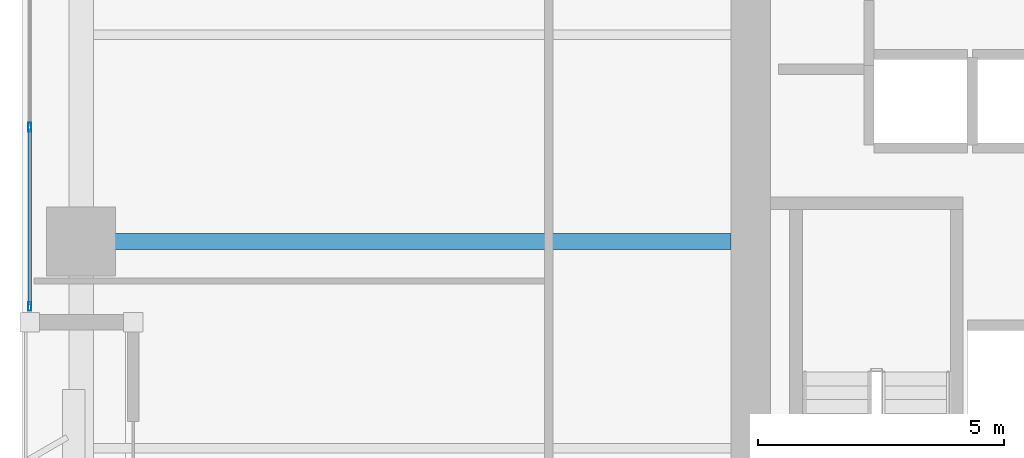
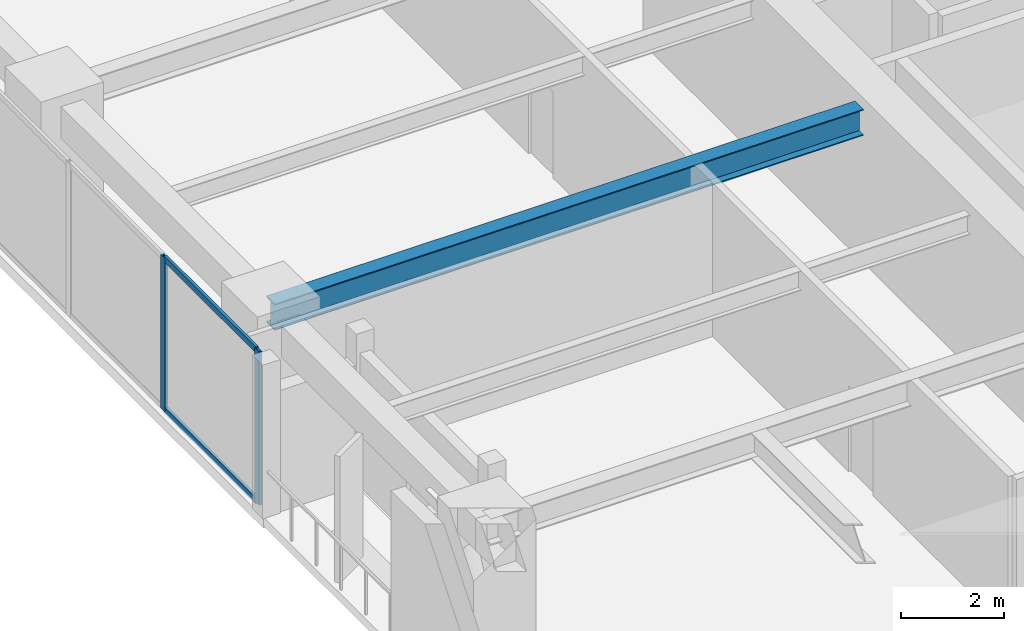
# One storey, part 2 of 24: 4 members, 1 beam, 1 element without a shape of its own.
"""IFC4 building model written with IfcOpenShell, lengths in metres."""

from ifc_helpers import new_model, si_unit, direction, frame, origin, origin_2d, place, context, subcontext, project, spatial, hollow_rectangle, i_section, extrude, material, layer, layer_set, material_profile, profile_set, type_object, element, aggregate, save


model = new_model("IFC4")

# Units and contexts
model_context = context("Model", 3, precision=1e-05, world=origin(), true_north=direction((0.0, 1.0)))
body_context = subcontext(model_context, "Body", "Model", "MODEL_VIEW")
ifc_project = project(units=[si_unit("LENGTHUNIT", "METRE"), si_unit("AREAUNIT", "SQUARE_METRE"), si_unit("VOLUMEUNIT", "CUBIC_METRE"), si_unit("PLANEANGLEUNIT", "RADIAN"), si_unit("MASSUNIT", "GRAM", prefix="KILO")], contexts=[model_context])

# Site, building, storey
site_placement = place(None, origin())
site = spatial("IfcSite", under=ifc_project, at=site_placement, CompositionType="ELEMENT")
building_placement = place(site_placement, origin())
building = spatial("IfcBuilding", under=site, at=building_placement, Name="Kiyonajd Concourse Tower", CompositionType="ELEMENT")
storey_placement = place(building_placement, frame((0.0, 0.0, 117.0)))
storey = spatial("IfcBuildingStorey", under=building, at=storey_placement, Name="L30", CompositionType="ELEMENT", Elevation=117.0)

# Beam
ifc_material_1 = material(Name="Steel ASTM A992 Grade 50", Category="steel")
ifc_material_profile_1 = material_profile(ifc_material_1, i_section(OverallWidth=0.326904296875, OverallDepth=0.6220703125, WebThickness=0.015380859375, FlangeThickness=0.0244140625, at=origin_2d()), Name="W610X195")
ifc_profile_set_1 = profile_set([ifc_material_profile_1], Name="Steel ASTM A992 Grade 50")
beam_type = type_object("IfcBeamType", Name="BM-TWR-610A", PredefinedType="BEAM", material=ifc_profile_set_1)
beam_placement = place(storey_placement, frame((19.199951171875, 36.0, 3.3291015625), z_axis=(1.0, 0.0, 0.0), x_axis=(0.0, 1.0, 0.0)))
element("IfcBeam", 1, at=beam_placement, inside=storey, type_object=beam_type, Name="L30 West Lease Girder", PredefinedType="BEAM", context=body_context, shape_type="SweptSolid", body=[
    extrude(i_section(OverallWidth=0.326904296875, OverallDepth=0.6220703125, WebThickness=0.015380859375, FlangeThickness=0.0244140625, at=origin_2d()), origin(), (0.0, 0.0, 1.0), 13.199951171875),
])

# Curtain wall, members
ifc_material_2 = material(Name="Thermally Broken Anodised Aluminium", Category="aluminium")
ifc_layer = layer(ifc_material_2, 0.179931640625)
ifc_layer_set = layer_set([ifc_layer], Name="Thermally Broken Anodised Aluminium")
curtain_wall_type = type_object("IfcCurtainWallType", Name="CW-SYS-03", PredefinedType="NOTDEFINED", material=ifc_layer_set)
curtain_wall_placement = place(storey_placement, origin())
curtain_wall = element("IfcCurtainWall", 2, at=curtain_wall_placement, inside=storey, type_object=curtain_wall_type, Name="L30 Unitised Curtain Wall CW3", PredefinedType="NOTDEFINED")
ifc_material_profile_2 = material_profile(ifc_material_2, hollow_rectangle(XDim=0.06494140625, YDim=0.179931640625, WallThickness=0.00390625, at=origin_2d()), Name="MULL-65x180")
ifc_profile_set_2 = profile_set([ifc_material_profile_2], Name="Thermally Broken Anodised Aluminium")
member_type_1 = type_object("IfcMemberType", Name="MB-CW-MULL1", PredefinedType="MULLION", material=ifc_profile_set_2)
member_1_placement = place(storey_placement, frame((18.159912109375, 34.6826171875, 0.0), z_axis=(0.0, 0.0, 1.0), x_axis=(-1.0, 0.0, 0.0)))
member_1 = element("IfcMember", 3, at=member_1_placement, type_object=member_type_1, Name="CW3 mullion 1", PredefinedType="MULLION", context=body_context, shape_type="SweptSolid", body=[
    extrude(hollow_rectangle(XDim=0.06494140625, YDim=0.179931640625, WallThickness=0.00390625, at=origin_2d()), origin(), (0.0, 0.0, 1.0), 3.639892578125),
])
member_2_placement = place(storey_placement, frame((18.159912109375, 38.3232421875, 0.0), z_axis=(0.0, 0.0, 1.0), x_axis=(-1.0, 0.0, 0.0)))
member_2 = element("IfcMember", 4, at=member_2_placement, type_object=member_type_1, Name="CW3 mullion 2", PredefinedType="MULLION", context=body_context, shape_type="SweptSolid", body=[
    extrude(hollow_rectangle(XDim=0.06494140625, YDim=0.179931640625, WallThickness=0.00390625, at=origin_2d()), origin(), (0.0, 0.0, 1.0), 3.639892578125),
])
ifc_material_profile_3 = material_profile(ifc_material_2, hollow_rectangle(XDim=0.06494140625, YDim=0.139892578125, WallThickness=0.00390625, at=origin_2d()), Name="TRAN-65x140")
ifc_profile_set_3 = profile_set([ifc_material_profile_3], Name="Thermally Broken Anodised Aluminium")
member_type_2 = type_object("IfcMemberType", Name="MB-CW-TRAN1", PredefinedType="USERDEFINED", material=ifc_profile_set_3)
member_3_placement = place(storey_placement, frame((18.159912109375, 34.715087890625, 0.032470703125), z_axis=(0.0, 1.0, 0.0), x_axis=(-1.0, 0.0, 0.0)))
member_3 = element("IfcMember", 5, at=member_3_placement, type_object=member_type_2, Name="CW3 transom 1.1", ObjectType="TRANSOM", PredefinedType="USERDEFINED", context=body_context, shape_type="SweptSolid", body=[
    extrude(hollow_rectangle(XDim=0.06494140625, YDim=0.139892578125, WallThickness=0.00390625, at=origin_2d()), origin(), (0.0, 0.0, 1.0), 3.57568359375),
])
member_4_placement = place(storey_placement, frame((18.159912109375, 34.715087890625, 3.607421875), z_axis=(0.0, 1.0, 0.0), x_axis=(-1.0, 0.0, 0.0)))
member_4 = element("IfcMember", 6, at=member_4_placement, type_object=member_type_2, Name="CW3 transom 1.2", ObjectType="TRANSOM", PredefinedType="USERDEFINED", context=body_context, shape_type="SweptSolid", body=[
    extrude(hollow_rectangle(XDim=0.06494140625, YDim=0.139892578125, WallThickness=0.00390625, at=origin_2d()), origin(), (0.0, 0.0, 1.0), 3.57568359375),
])
aggregate(curtain_wall, [member_1, member_2, member_3, member_4])

save(model, "model.ifc")
